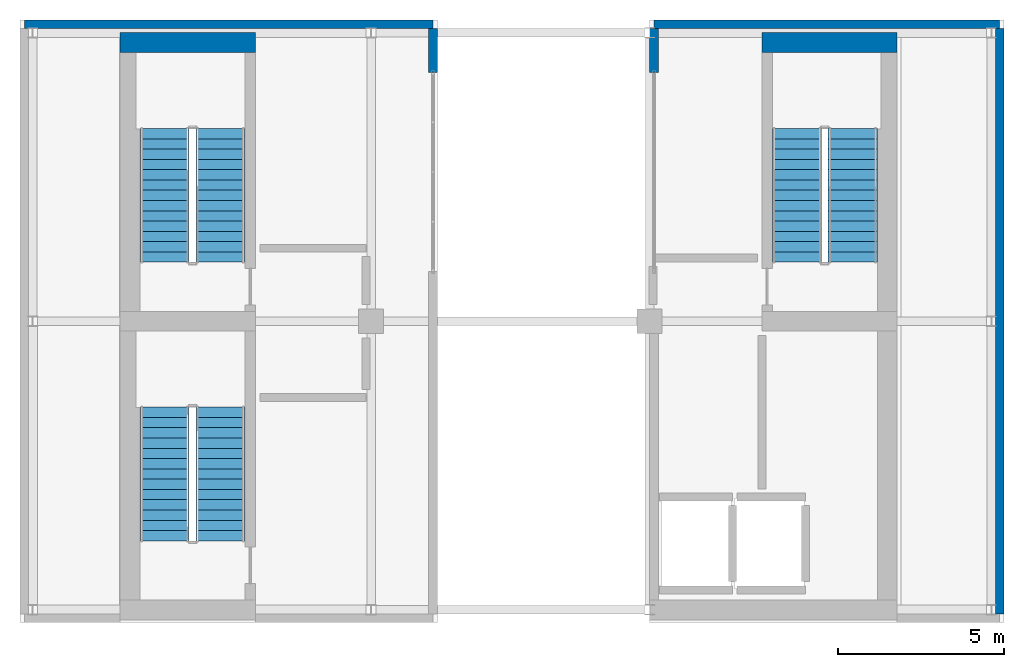
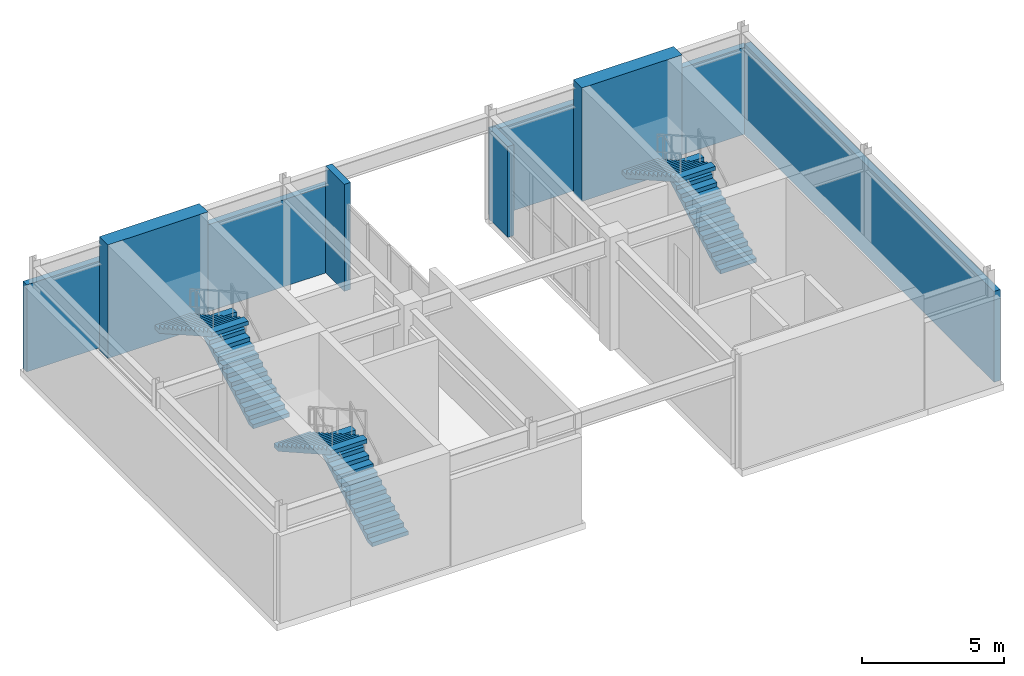
# One storey, part 8 of 9: 7 walls, 6 stair flights, 3 elements without a shape of their own.
"""IFC4 building model written with IfcOpenShell, lengths in metres."""

from ifc_helpers import new_model, si_unit, direction, frame, frame_2d, origin, place, context, subcontext, project, spatial, polyline, rectangle, outline, extrude, material, layer, layer_set, type_object, element, aggregate, save


model = new_model("IFC4")

# Units and contexts
model_context = context("Model", 3, precision=1e-05, world=origin(), true_north=direction((0.0, 1.0)))
body_context = subcontext(model_context, "Body", "Model", "MODEL_VIEW")
ifc_project = project(units=[si_unit("LENGTHUNIT", "METRE"), si_unit("AREAUNIT", "SQUARE_METRE"), si_unit("VOLUMEUNIT", "CUBIC_METRE"), si_unit("PLANEANGLEUNIT", "RADIAN"), si_unit("MASSUNIT", "GRAM", prefix="KILO")], contexts=[model_context])

# Site, building, storey
site_placement = place(None, origin())
site = spatial("IfcSite", under=ifc_project, at=site_placement, CompositionType="ELEMENT")
building_placement = place(site_placement, origin())
building = spatial("IfcBuilding", under=site, at=building_placement, Name="Solanera Arch Residences", CompositionType="ELEMENT")
storey_placement = place(building_placement, frame((0.0, 0.0, 292.780029296875)))
storey = spatial("IfcBuildingStorey", under=building, at=storey_placement, Name="L83", CompositionType="ELEMENT", Elevation=292.780029296875)

# Walls
ifc_material_1 = material(Name="Concrete C40/50 (f'c = 45 MPa)", Category="concrete")
ifc_layer_1 = layer(ifc_material_1, 0.60009765625)
ifc_layer_set_1 = layer_set([ifc_layer_1], Name="Concrete C40/50 (f'c = 45 MPa)")
wall_type_1 = type_object("IfcWallType", Name="Core Shear Wall CW-600", PredefinedType="SHEAR", material=ifc_layer_set_1)
wall_1_placement = place(storey_placement, frame((13.239990234375, 39.10009765625, 0.0), z_axis=(0.0, 0.0, 1.0), x_axis=(1.0, 0.0, 0.0)))
element("IfcWall", 1, at=wall_1_placement, inside=storey, type_object=wall_type_1, Name="L83 North-West Core Shear Wall", PredefinedType="SHEAR", context=body_context, shape_type="SweptSolid", body=[
    extrude(rectangle(XDim=4.080078125, YDim=0.60009765625, at=frame_2d((2.0400390625, 0.0))), origin(), (0.0, 0.0, 1.0), 4.89990234375),
])
wall_2_placement = place(storey_placement, frame((32.580078125, 39.10009765625, 0.0), z_axis=(0.0, 0.0, 1.0), x_axis=(1.0, 0.0, 0.0)))
element("IfcWall", 2, at=wall_2_placement, inside=storey, type_object=wall_type_1, Name="L83 North-East Core Shear Wall", PredefinedType="SHEAR", context=body_context, shape_type="SweptSolid", body=[
    extrude(rectangle(XDim=4.079833984375, YDim=0.60009765625, at=frame_2d((2.0400390625, 0.0))), origin(), (0.0, 0.0, 1.0), 4.89990234375),
])
ifc_material_2 = material(Name="Precast Concrete C35/45", Category="concrete")
ifc_layer_2 = layer(ifc_material_2, 0.260009765625)
ifc_layer_set_2 = layer_set([ifc_layer_2], Name="Precast Concrete C35/45")
wall_type_2 = type_object("IfcWallType", Name="Exterior Wall Precast Masonry-Frame 260", PredefinedType="STANDARD", material=ifc_layer_set_2)
wall_3_placement = place(storey_placement, frame((10.35009765625, 39.64990234375, 0.0), z_axis=(0.0, 0.0, 1.0), x_axis=(1.0, 0.0, 0.0)))
element("IfcWall", 3, at=wall_3_placement, inside=storey, type_object=wall_type_2, Name="L83 W Crown Peak North Precast Wall", PredefinedType="STANDARD", context=body_context, shape_type="SweptSolid", body=[
    extrude(rectangle(XDim=12.31982421875, YDim=0.260009765625, at=frame_2d((6.159912109375, 0.0))), origin(), (0.0, 0.0, 1.0), 3.75390625),
])
wall_4_placement = place(storey_placement, frame((22.669921875, 38.199951171875, 0.0), z_axis=(0.0, 0.0, 1.0), x_axis=(0.0, 1.0, 0.0)))
element("IfcWall", 4, at=wall_4_placement, inside=storey, type_object=wall_type_2, Name="L83 W Cleft Cheek North Wall", PredefinedType="STANDARD", context=body_context, shape_type="SweptSolid", body=[
    extrude(rectangle(XDim=1.320068359375, YDim=0.260009765625, at=frame_2d((0.66015625, 0.0))), origin(), (0.0, 0.0, 1.0), 4.619873046875),
])
wall_5_placement = place(storey_placement, frame((29.330078125, 39.64990234375, 0.0), z_axis=(0.0, 0.0, 1.0), x_axis=(1.0, 0.0, 0.0)))
element("IfcWall", 5, at=wall_5_placement, inside=storey, type_object=wall_type_2, Name="L83 E Crown Peak North Precast Wall", PredefinedType="STANDARD", context=body_context, shape_type="SweptSolid", body=[
    extrude(rectangle(XDim=10.419921875, YDim=0.260009765625, at=frame_2d((5.2099609375, 0.0))), origin(), (0.0, 0.0, 1.0), 3.75390625),
])
wall_6_placement = place(storey_placement, frame((39.75, 39.52001953125, 0.0), z_axis=(0.0, 0.0, 1.0), x_axis=(0.0, -1.0, 0.0)))
element("IfcWall", 6, at=wall_6_placement, inside=storey, type_object=wall_type_2, Name="L83 E Crown Peak Outer Precast Wall", PredefinedType="STANDARD", context=body_context, shape_type="SweptSolid", body=[
    extrude(rectangle(XDim=17.64013671875, YDim=0.260009765625, at=frame_2d((8.820068359375, 0.0))), origin(), (0.0, 0.0, 1.0), 3.911865234375),
])
wall_7_placement = place(storey_placement, frame((29.330078125, 38.199951171875, 0.0), z_axis=(0.0, 0.0, 1.0), x_axis=(0.0, 1.0, 0.0)))
element("IfcWall", 7, at=wall_7_placement, inside=storey, type_object=wall_type_2, Name="L83 E Cleft Cheek North Wall", PredefinedType="STANDARD", context=body_context, shape_type="SweptSolid", body=[
    extrude(rectangle(XDim=1.320068359375, YDim=0.260009765625, at=frame_2d((0.66015625, 0.0))), origin(), (0.0, 0.0, 1.0), 3.911865234375),
])

# Stair, stair flights
ifc_material_3 = material(Name="Concrete C40/50 (f'c = 45 MPa)", Category="concrete")
stair_type = type_object("IfcStairType", Name="Tower Dogleg Exit Stair 1480", PredefinedType="HALF_TURN_STAIR", material=ifc_material_3)
stair_1_placement = place(storey_placement, origin())
stair_1 = element("IfcStair", 8, at=stair_1_placement, inside=storey, type_object=stair_type, Name="L83 Tower Core Exit Stair 1", PredefinedType="HALF_TURN_STAIR")
ifc_material_4 = material(Name="Concrete C40/50 (f'c = 45 MPa)", Category="concrete")
stair_flight_type = type_object("IfcStairFlightType", Name="Tower Precast Stair Flight 1480", PredefinedType="STRAIGHT", material=ifc_material_4)
stair_flight_1_placement = place(storey_placement, frame((16.260009765625, 32.47998046875, 0.0), z_axis=(0.0, 0.0, 1.0), x_axis=(0.0, 1.0, 0.0)))
stair_flight_1 = element("IfcStairFlight", 9, at=stair_flight_1_placement, type_object=stair_flight_type, Name="ST-T1 flight 1", NumberOfRisers=14, NumberOfTreads=13, PredefinedType="STRAIGHT", RiserHeight=0.175, TreadLength=0.31, context=body_context, shape_type="SweptSolid", body=[
    extrude(outline(polyline([(0.0, 0.0), (0.0, 0.175048828125), (0.31005859375, 0.175048828125), (0.31005859375, 0.35009765625), (0.6201171875, 0.35009765625), (0.6201171875, 0.52490234375), (0.929931640625, 0.52490234375), (0.929931640625, 0.699951171875), (1.239990234375, 0.699951171875), (1.239990234375, 0.875), (1.550048828125, 0.875), (1.550048828125, 1.050048828125), (1.860107421875, 1.050048828125), (1.860107421875, 1.22509765625), (2.169921875, 1.22509765625), (2.169921875, 1.39990234375), (2.47998046875, 1.39990234375), (2.47998046875, 1.574951171875), (2.7900390625, 1.574951171875), (2.7900390625, 1.75), (3.10009765625, 1.75), (3.10009765625, 1.925048828125), (3.409912109375, 1.925048828125), (3.409912109375, 2.10009765625), (3.719970703125, 2.10009765625), (3.719970703125, 2.27490234375), (4.030029296875, 2.27490234375), (4.030029296875, 2.449951171875), (4.030029296875, 2.102783203125), (0.304931640625, 0.0), (0.0, 0.0)])), frame((0.0, 0.739990234375, 0.0), z_axis=(0.0, -1.0, 0.0), x_axis=(1.0, 0.0, 0.0)), (0.0, 0.0, 1.0), 1.47998046875),
])
stair_flight_2_placement = place(storey_placement, frame((14.580078125, 36.510009765625, 2.449951171875), z_axis=(0.0, 0.0, 1.0), x_axis=(0.0, -1.0, 0.0)))
stair_flight_2 = element("IfcStairFlight", 10, at=stair_flight_2_placement, type_object=stair_flight_type, Name="ST-T1 flight 2", NumberOfRisers=14, NumberOfTreads=13, PredefinedType="STRAIGHT", RiserHeight=0.175, TreadLength=0.31, context=body_context, shape_type="SweptSolid", body=[
    extrude(outline(polyline([(0.0, 0.0), (0.0, 0.175048828125), (0.31005859375, 0.175048828125), (0.31005859375, 0.35009765625), (0.6201171875, 0.35009765625), (0.6201171875, 0.52490234375), (0.929931640625, 0.52490234375), (0.929931640625, 0.699951171875), (1.239990234375, 0.699951171875), (1.239990234375, 0.875), (1.550048828125, 0.875), (1.550048828125, 1.050048828125), (1.860107421875, 1.050048828125), (1.860107421875, 1.22509765625), (2.169921875, 1.22509765625), (2.169921875, 1.39990234375), (2.47998046875, 1.39990234375), (2.47998046875, 1.574951171875), (2.7900390625, 1.574951171875), (2.7900390625, 1.75), (3.10009765625, 1.75), (3.10009765625, 1.925048828125), (3.409912109375, 1.925048828125), (3.409912109375, 2.10009765625), (3.719970703125, 2.10009765625), (3.719970703125, 2.27490234375), (4.030029296875, 2.27490234375), (4.030029296875, 2.449951171875), (4.030029296875, 2.102783203125), (0.304931640625, 0.0), (0.0, 0.0)])), frame((0.0, 0.739990234375, 0.0), z_axis=(0.0, -1.0, 0.0), x_axis=(1.0, 0.0, 0.0)), (0.0, 0.0, 1.0), 1.47998046875),
])
aggregate(stair_1, [stair_flight_1, stair_flight_2])

stair_2_placement = place(storey_placement, origin())
stair_2 = element("IfcStair", 11, at=stair_2_placement, inside=storey, type_object=stair_type, Name="L83 Tower Core Exit Stair 2", PredefinedType="HALF_TURN_STAIR")
stair_flight_3_placement = place(storey_placement, frame((35.320068359375, 32.47998046875, 0.0), z_axis=(0.0, 0.0, 1.0), x_axis=(0.0, 1.0, 0.0)))
stair_flight_3 = element("IfcStairFlight", 12, at=stair_flight_3_placement, type_object=stair_flight_type, Name="ST-T2 flight 1", NumberOfRisers=14, NumberOfTreads=13, PredefinedType="STRAIGHT", RiserHeight=0.175, TreadLength=0.31, context=body_context, shape_type="SweptSolid", body=[
    extrude(outline(polyline([(0.0, 0.0), (0.0, 0.175048828125), (0.31005859375, 0.175048828125), (0.31005859375, 0.35009765625), (0.6201171875, 0.35009765625), (0.6201171875, 0.52490234375), (0.929931640625, 0.52490234375), (0.929931640625, 0.699951171875), (1.239990234375, 0.699951171875), (1.239990234375, 0.875), (1.550048828125, 0.875), (1.550048828125, 1.050048828125), (1.860107421875, 1.050048828125), (1.860107421875, 1.22509765625), (2.169921875, 1.22509765625), (2.169921875, 1.39990234375), (2.47998046875, 1.39990234375), (2.47998046875, 1.574951171875), (2.7900390625, 1.574951171875), (2.7900390625, 1.75), (3.10009765625, 1.75), (3.10009765625, 1.925048828125), (3.409912109375, 1.925048828125), (3.409912109375, 2.10009765625), (3.719970703125, 2.10009765625), (3.719970703125, 2.27490234375), (4.030029296875, 2.27490234375), (4.030029296875, 2.449951171875), (4.030029296875, 2.102783203125), (0.304931640625, 0.0), (0.0, 0.0)])), frame((0.0, 0.739990234375, 0.0), z_axis=(0.0, -1.0, 0.0), x_axis=(1.0, 0.0, 0.0)), (0.0, 0.0, 1.0), 1.47998046875),
])
stair_flight_4_placement = place(storey_placement, frame((33.639892578125, 36.510009765625, 2.449951171875), z_axis=(0.0, 0.0, 1.0), x_axis=(0.0, -1.0, 0.0)))
stair_flight_4 = element("IfcStairFlight", 13, at=stair_flight_4_placement, type_object=stair_flight_type, Name="ST-T2 flight 2", NumberOfRisers=14, NumberOfTreads=13, PredefinedType="STRAIGHT", RiserHeight=0.175, TreadLength=0.31, context=body_context, shape_type="SweptSolid", body=[
    extrude(outline(polyline([(0.0, 0.0), (0.0, 0.175048828125), (0.31005859375, 0.175048828125), (0.31005859375, 0.35009765625), (0.6201171875, 0.35009765625), (0.6201171875, 0.52490234375), (0.929931640625, 0.52490234375), (0.929931640625, 0.699951171875), (1.239990234375, 0.699951171875), (1.239990234375, 0.875), (1.550048828125, 0.875), (1.550048828125, 1.050048828125), (1.860107421875, 1.050048828125), (1.860107421875, 1.22509765625), (2.169921875, 1.22509765625), (2.169921875, 1.39990234375), (2.47998046875, 1.39990234375), (2.47998046875, 1.574951171875), (2.7900390625, 1.574951171875), (2.7900390625, 1.75), (3.10009765625, 1.75), (3.10009765625, 1.925048828125), (3.409912109375, 1.925048828125), (3.409912109375, 2.10009765625), (3.719970703125, 2.10009765625), (3.719970703125, 2.27490234375), (4.030029296875, 2.27490234375), (4.030029296875, 2.449951171875), (4.030029296875, 2.102783203125), (0.304931640625, 0.0), (0.0, 0.0)])), frame((0.0, 0.739990234375, 0.0), z_axis=(0.0, -1.0, 0.0), x_axis=(1.0, 0.0, 0.0)), (0.0, 0.0, 1.0), 1.47998046875),
])
aggregate(stair_2, [stair_flight_3, stair_flight_4])

stair_3_placement = place(storey_placement, origin())
stair_3 = element("IfcStair", 14, at=stair_3_placement, inside=storey, type_object=stair_type, Name="L83 Tower Core Exit Stair 3", PredefinedType="HALF_TURN_STAIR")
stair_flight_5_placement = place(storey_placement, frame((16.260009765625, 24.080078125, 0.0), z_axis=(0.0, 0.0, 1.0), x_axis=(0.0, 1.0, 0.0)))
stair_flight_5 = element("IfcStairFlight", 15, at=stair_flight_5_placement, type_object=stair_flight_type, Name="ST-T3 flight 1", NumberOfRisers=14, NumberOfTreads=13, PredefinedType="STRAIGHT", RiserHeight=0.175, TreadLength=0.31, context=body_context, shape_type="SweptSolid", body=[
    extrude(outline(polyline([(0.0, 0.0), (0.0, 0.175048828125), (0.31005859375, 0.175048828125), (0.31005859375, 0.35009765625), (0.6201171875, 0.35009765625), (0.6201171875, 0.52490234375), (0.929931640625, 0.52490234375), (0.929931640625, 0.699951171875), (1.239990234375, 0.699951171875), (1.239990234375, 0.875), (1.550048828125, 0.875), (1.550048828125, 1.050048828125), (1.860107421875, 1.050048828125), (1.860107421875, 1.22509765625), (2.169921875, 1.22509765625), (2.169921875, 1.39990234375), (2.47998046875, 1.39990234375), (2.47998046875, 1.574951171875), (2.7900390625, 1.574951171875), (2.7900390625, 1.75), (3.10009765625, 1.75), (3.10009765625, 1.925048828125), (3.409912109375, 1.925048828125), (3.409912109375, 2.10009765625), (3.719970703125, 2.10009765625), (3.719970703125, 2.27490234375), (4.030029296875, 2.27490234375), (4.030029296875, 2.449951171875), (4.030029296875, 2.102783203125), (0.304931640625, 0.0), (0.0, 0.0)])), frame((0.0, 0.739990234375, 0.0), z_axis=(0.0, -1.0, 0.0), x_axis=(1.0, 0.0, 0.0)), (0.0, 0.0, 1.0), 1.47998046875),
])
stair_flight_6_placement = place(storey_placement, frame((14.580078125, 28.110107421875, 2.449951171875), z_axis=(0.0, 0.0, 1.0), x_axis=(0.0, -1.0, 0.0)))
stair_flight_6 = element("IfcStairFlight", 16, at=stair_flight_6_placement, type_object=stair_flight_type, Name="ST-T3 flight 2", NumberOfRisers=14, NumberOfTreads=13, PredefinedType="STRAIGHT", RiserHeight=0.175, TreadLength=0.31, context=body_context, shape_type="SweptSolid", body=[
    extrude(outline(polyline([(0.0, 0.0), (0.0, 0.175048828125), (0.31005859375, 0.175048828125), (0.31005859375, 0.35009765625), (0.6201171875, 0.35009765625), (0.6201171875, 0.52490234375), (0.929931640625, 0.52490234375), (0.929931640625, 0.699951171875), (1.239990234375, 0.699951171875), (1.239990234375, 0.875), (1.550048828125, 0.875), (1.550048828125, 1.050048828125), (1.860107421875, 1.050048828125), (1.860107421875, 1.22509765625), (2.169921875, 1.22509765625), (2.169921875, 1.39990234375), (2.47998046875, 1.39990234375), (2.47998046875, 1.574951171875), (2.7900390625, 1.574951171875), (2.7900390625, 1.75), (3.10009765625, 1.75), (3.10009765625, 1.925048828125), (3.409912109375, 1.925048828125), (3.409912109375, 2.10009765625), (3.719970703125, 2.10009765625), (3.719970703125, 2.27490234375), (4.030029296875, 2.27490234375), (4.030029296875, 2.449951171875), (4.030029296875, 2.102783203125), (0.304931640625, 0.0), (0.0, 0.0)])), frame((0.0, 0.739990234375, 0.0), z_axis=(0.0, -1.0, 0.0), x_axis=(1.0, 0.0, 0.0)), (0.0, 0.0, 1.0), 1.47998046875),
])
aggregate(stair_3, [stair_flight_5, stair_flight_6])

save(model, "model.ifc")
